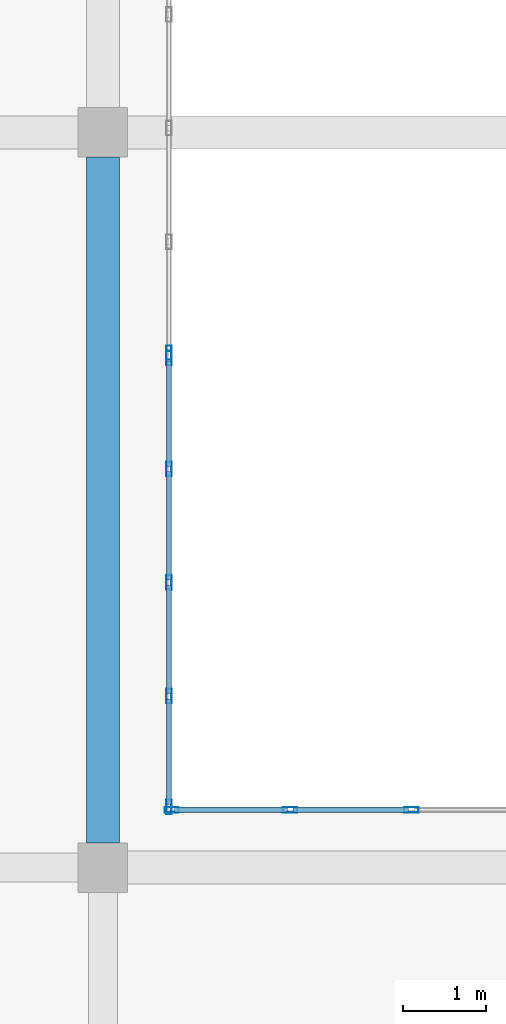
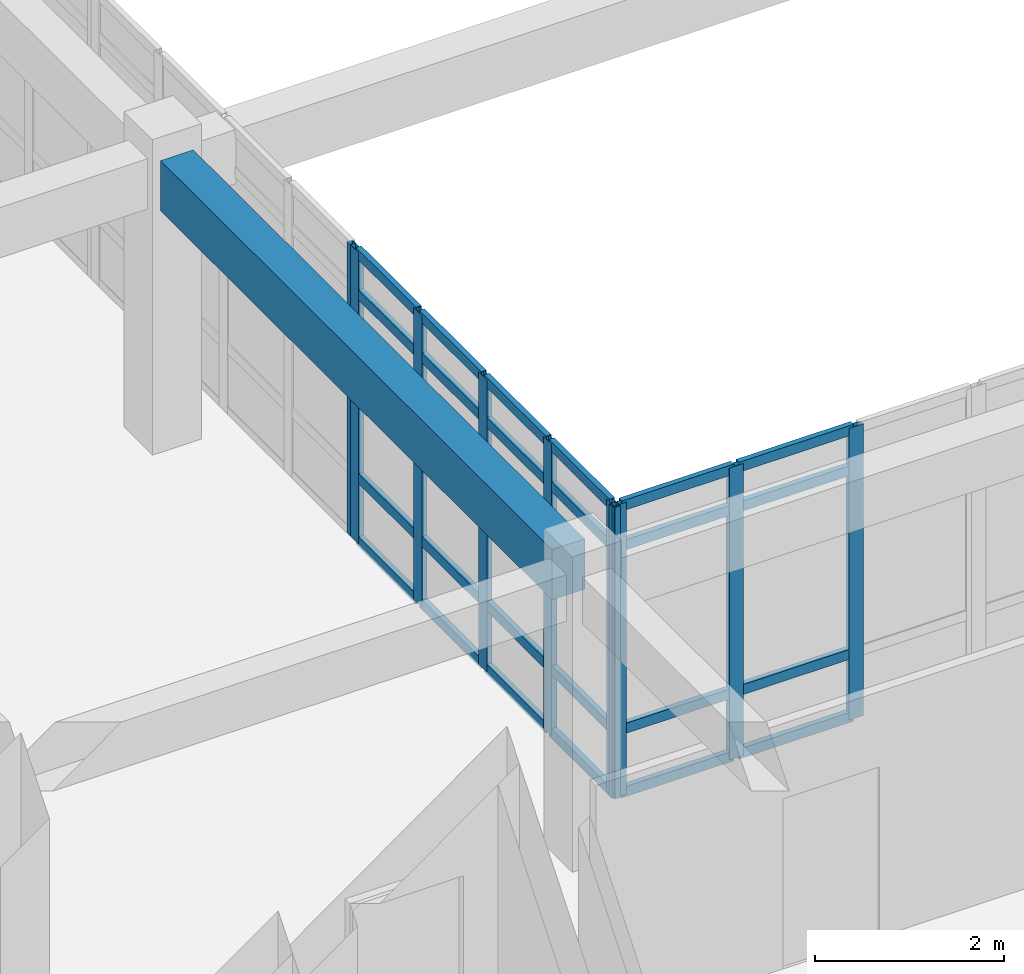
# One storey, part 45 of 91: 33 members, 1 beam, 3 elements without a shape of their own.
"""IFC4 building model written with IfcOpenShell, lengths in metres."""

from ifc_helpers import new_model, si_unit, direction, frame, origin, origin_2d, place, context, subcontext, project, spatial, rectangle, hollow_rectangle, extrude, material, layer, layer_set, material_profile, profile_set, type_object, element, aggregate, save


model = new_model("IFC4")

# Units and contexts
model_context = context("Model", 3, precision=1e-05, world=origin(), true_north=direction((0.0, 1.0)))
body_context = subcontext(model_context, "Body", "Model", "MODEL_VIEW")
ifc_project = project(units=[si_unit("LENGTHUNIT", "METRE"), si_unit("AREAUNIT", "SQUARE_METRE"), si_unit("VOLUMEUNIT", "CUBIC_METRE"), si_unit("PLANEANGLEUNIT", "RADIAN"), si_unit("MASSUNIT", "GRAM", prefix="KILO")], contexts=[model_context])

# Site, building, storey
site_placement = place(None, origin())
site = spatial("IfcSite", under=ifc_project, at=site_placement, CompositionType="ELEMENT")
building_placement = place(site_placement, origin())
building = spatial("IfcBuilding", under=site, at=building_placement, Name="Valcora Specialist Clinic", CompositionType="ELEMENT")
storey_placement = place(building_placement, frame((0.0, 0.0, 13.60009765625)))
storey = spatial("IfcBuildingStorey", under=building, at=storey_placement, Name="L03", CompositionType="ELEMENT", Elevation=13.60009765625)

# Beam
ifc_material_1 = material(Name="Concrete C40/50", Category="concrete")
ifc_material_profile_1 = material_profile(ifc_material_1, rectangle(XDim=0.39990234375, YDim=0.64990234375, at=origin_2d()), Name="RC-BM-400X650")
ifc_profile_set_1 = profile_set([ifc_material_profile_1], Name="Concrete C40/50")
beam_type = type_object("IfcBeamType", Name="TY-BM-RC400X650", PredefinedType="BEAM", material=ifc_profile_set_1)
beam_placement = place(storey_placement, frame((76.0, 81.60009765625, 3.449951171875), z_axis=(0.0, 1.0, 0.0), x_axis=(-1.0, 0.0, 0.0)))
element("IfcBeam", 1, at=beam_placement, inside=storey, type_object=beam_type, Name="Beam BM-L03-0811", PredefinedType="BEAM", context=body_context, shape_type="SweptSolid", body=[
    extrude(rectangle(XDim=0.39990234375, YDim=0.64990234375, at=origin_2d()), origin(), (0.0, 0.0, 1.0), 8.2998046875),
])

# Curtain wall, members
ifc_material_2 = material(Name="Anodized Bronze Aluminium 6063-T6", Category="aluminium")
ifc_layer = layer(ifc_material_2, 0.175048828125)
ifc_layer_set = layer_set([ifc_layer], Name="Anodized Bronze Aluminium 6063-T6")
curtain_wall_type = type_object("IfcCurtainWallType", Name="TY-CW-CRT15", PredefinedType="NOTDEFINED", material=ifc_layer_set)
curtain_wall_1_placement = place(storey_placement, origin())
curtain_wall_1 = element("IfcCurtainWall", 2, at=curtain_wall_1_placement, inside=storey, type_object=curtain_wall_type, Name="Curtain wall CW-L03-125", PredefinedType="NOTDEFINED")
ifc_material_profile_2 = material_profile(ifc_material_2, hollow_rectangle(XDim=0.06494140625, YDim=0.175048828125, WallThickness=0.00390625, at=origin_2d()), Name="AL-MUL-65X175")
ifc_profile_set_2 = profile_set([ifc_material_profile_2], Name="Anodized Bronze Aluminium 6063-T6")
member_type_1 = type_object("IfcMemberType", Name="TY-CWM-65X175", PredefinedType="MULLION", material=ifc_profile_set_2)
member_1_placement = place(storey_placement, frame((76.83251953125, 82.0, 0.0), z_axis=(0.0, 0.0, 1.0), x_axis=(0.0, 1.0, 0.0)))
member_1 = element("IfcMember", 3, at=member_1_placement, type_object=member_type_1, Name="CW-CRT-15 mullion 1", PredefinedType="MULLION", context=body_context, shape_type="SweptSolid", body=[
    extrude(hollow_rectangle(XDim=0.06494140625, YDim=0.175048828125, WallThickness=0.00390625, at=origin_2d()), origin(), (0.0, 0.0, 1.0), 3.77490234375),
])
member_2_placement = place(storey_placement, frame((78.2666015625, 82.0, 0.0), z_axis=(0.0, 0.0, 1.0), x_axis=(0.0, 1.0, 0.0)))
member_2 = element("IfcMember", 4, at=member_2_placement, type_object=member_type_1, Name="CW-CRT-15 mullion 2", PredefinedType="MULLION", context=body_context, shape_type="SweptSolid", body=[
    extrude(hollow_rectangle(XDim=0.06494140625, YDim=0.175048828125, WallThickness=0.00390625, at=origin_2d()), origin(), (0.0, 0.0, 1.0), 3.77490234375),
])
member_3_placement = place(storey_placement, frame((79.7333984375, 82.0, 0.0), z_axis=(0.0, 0.0, 1.0), x_axis=(0.0, 1.0, 0.0)))
member_3 = element("IfcMember", 5, at=member_3_placement, type_object=member_type_1, Name="CW-CRT-15 mullion 3", PredefinedType="MULLION", context=body_context, shape_type="SweptSolid", body=[
    extrude(hollow_rectangle(XDim=0.06494140625, YDim=0.175048828125, WallThickness=0.00390625, at=origin_2d()), origin(), (0.0, 0.0, 1.0), 3.77490234375),
])

# Curtain wall, member
curtain_wall_2_placement = place(storey_placement, origin())
curtain_wall_2 = element("IfcCurtainWall", 6, at=curtain_wall_2_placement, inside=storey, type_object=curtain_wall_type, Name="Curtain wall CW-L03-135", PredefinedType="NOTDEFINED")
member_4_placement = place(storey_placement, frame((76.800048828125, 87.532470703125, 0.0), z_axis=(0.0, 0.0, 1.0), x_axis=(1.0, 0.0, 0.0)))
member_4 = element("IfcMember", 7, at=member_4_placement, type_object=member_type_1, Name="CW-CRT-15 mullion 5", PredefinedType="MULLION", context=body_context, shape_type="SweptSolid", body=[
    extrude(hollow_rectangle(XDim=0.06494140625, YDim=0.175048828125, WallThickness=0.00390625, at=origin_2d()), origin(), (0.0, 0.0, 1.0), 3.77490234375),
])
aggregate(curtain_wall_2, [member_4])

# Curtain wall, members
curtain_wall_3_placement = place(storey_placement, origin())
curtain_wall_3 = element("IfcCurtainWall", 8, at=curtain_wall_3_placement, inside=storey, type_object=curtain_wall_type, Name="Curtain wall CW-L03-136", PredefinedType="NOTDEFINED")
member_5_placement = place(storey_placement, frame((76.800048828125, 87.467529296875, 0.0), z_axis=(0.0, 0.0, 1.0), x_axis=(1.0, 0.0, 0.0)))
member_5 = element("IfcMember", 9, at=member_5_placement, type_object=member_type_1, Name="CW-CRT-15 mullion 1", PredefinedType="MULLION", context=body_context, shape_type="SweptSolid", body=[
    extrude(hollow_rectangle(XDim=0.06494140625, YDim=0.175048828125, WallThickness=0.00390625, at=origin_2d()), origin(), (0.0, 0.0, 1.0), 3.77490234375),
])
member_6_placement = place(storey_placement, frame((76.800048828125, 86.125, 0.0), z_axis=(0.0, 0.0, 1.0), x_axis=(1.0, 0.0, 0.0)))
member_6 = element("IfcMember", 10, at=member_6_placement, type_object=member_type_1, Name="CW-CRT-15 mullion 2", PredefinedType="MULLION", context=body_context, shape_type="SweptSolid", body=[
    extrude(hollow_rectangle(XDim=0.06494140625, YDim=0.175048828125, WallThickness=0.00390625, at=origin_2d()), origin(), (0.0, 0.0, 1.0), 3.77490234375),
])
member_7_placement = place(storey_placement, frame((76.800048828125, 84.75, 0.0), z_axis=(0.0, 0.0, 1.0), x_axis=(1.0, 0.0, 0.0)))
member_7 = element("IfcMember", 11, at=member_7_placement, type_object=member_type_1, Name="CW-CRT-15 mullion 3", PredefinedType="MULLION", context=body_context, shape_type="SweptSolid", body=[
    extrude(hollow_rectangle(XDim=0.06494140625, YDim=0.175048828125, WallThickness=0.00390625, at=origin_2d()), origin(), (0.0, 0.0, 1.0), 3.77490234375),
])
member_8_placement = place(storey_placement, frame((76.800048828125, 83.375, 0.0), z_axis=(0.0, 0.0, 1.0), x_axis=(1.0, 0.0, 0.0)))
member_8 = element("IfcMember", 12, at=member_8_placement, type_object=member_type_1, Name="CW-CRT-15 mullion 4", PredefinedType="MULLION", context=body_context, shape_type="SweptSolid", body=[
    extrude(hollow_rectangle(XDim=0.06494140625, YDim=0.175048828125, WallThickness=0.00390625, at=origin_2d()), origin(), (0.0, 0.0, 1.0), 3.77490234375),
])
member_9_placement = place(storey_placement, frame((76.800048828125, 82.032470703125, 0.0), z_axis=(0.0, 0.0, 1.0), x_axis=(1.0, 0.0, 0.0)))
member_9 = element("IfcMember", 13, at=member_9_placement, type_object=member_type_1, Name="CW-CRT-15 mullion 5", PredefinedType="MULLION", context=body_context, shape_type="SweptSolid", body=[
    extrude(hollow_rectangle(XDim=0.06494140625, YDim=0.175048828125, WallThickness=0.00390625, at=origin_2d()), origin(), (0.0, 0.0, 1.0), 3.77490234375),
])

# Member
ifc_material_profile_3 = material_profile(ifc_material_2, hollow_rectangle(XDim=0.06494140625, YDim=0.1298828125, WallThickness=0.00390625, at=origin_2d()), Name="AL-TRN-65X130")
ifc_profile_set_3 = profile_set([ifc_material_profile_3], Name="Anodized Bronze Aluminium 6063-T6")
member_type_2 = type_object("IfcMemberType", Name="TY-CWT-65X130", PredefinedType="USERDEFINED", material=ifc_profile_set_3)
member_10_placement = place(storey_placement, frame((76.864990234375, 82.0, 0.032470703125), z_axis=(1.0, 0.0, 0.0), x_axis=(0.0, 1.0, 0.0)))
member_10 = element("IfcMember", 14, at=member_10_placement, type_object=member_type_2, Name="CW-CRT-15 transom 1.1", ObjectType="TRANSOM", PredefinedType="USERDEFINED", context=body_context, shape_type="SweptSolid", body=[
    extrude(hollow_rectangle(XDim=0.06494140625, YDim=0.1298828125, WallThickness=0.00390625, at=origin_2d()), origin(), (0.0, 0.0, 1.0), 1.369140625),
])

member_11_placement = place(storey_placement, frame((76.864990234375, 82.0, 0.849853515625), z_axis=(1.0, 0.0, 0.0), x_axis=(0.0, 1.0, 0.0)))
member_11 = element("IfcMember", 15, at=member_11_placement, type_object=member_type_2, Name="CW-CRT-15 transom 1.2", ObjectType="TRANSOM", PredefinedType="USERDEFINED", context=body_context, shape_type="SweptSolid", body=[
    extrude(hollow_rectangle(XDim=0.06494140625, YDim=0.1298828125, WallThickness=0.00390625, at=origin_2d()), origin(), (0.0, 0.0, 1.0), 1.369140625),
])

member_12_placement = place(storey_placement, frame((76.864990234375, 82.0, 3.224853515625), z_axis=(1.0, 0.0, 0.0), x_axis=(0.0, 1.0, 0.0)))
member_12 = element("IfcMember", 16, at=member_12_placement, type_object=member_type_2, Name="CW-CRT-15 transom 1.3", ObjectType="TRANSOM", PredefinedType="USERDEFINED", context=body_context, shape_type="SweptSolid", body=[
    extrude(hollow_rectangle(XDim=0.06494140625, YDim=0.1298828125, WallThickness=0.00390625, at=origin_2d()), origin(), (0.0, 0.0, 1.0), 1.369140625),
])

member_13_placement = place(storey_placement, frame((76.864990234375, 82.0, 3.742431640625), z_axis=(1.0, 0.0, 0.0), x_axis=(0.0, 1.0, 0.0)))
member_13 = element("IfcMember", 17, at=member_13_placement, type_object=member_type_2, Name="CW-CRT-15 transom 1.4", ObjectType="TRANSOM", PredefinedType="USERDEFINED", context=body_context, shape_type="SweptSolid", body=[
    extrude(hollow_rectangle(XDim=0.06494140625, YDim=0.1298828125, WallThickness=0.00390625, at=origin_2d()), origin(), (0.0, 0.0, 1.0), 1.369140625),
])

member_14_placement = place(storey_placement, frame((78.299072265625, 82.0, 0.032470703125), z_axis=(1.0, 0.0, 0.0), x_axis=(0.0, 1.0, 0.0)))
member_14 = element("IfcMember", 18, at=member_14_placement, type_object=member_type_2, Name="CW-CRT-15 transom 2.1", ObjectType="TRANSOM", PredefinedType="USERDEFINED", context=body_context, shape_type="SweptSolid", body=[
    extrude(hollow_rectangle(XDim=0.06494140625, YDim=0.1298828125, WallThickness=0.00390625, at=origin_2d()), origin(), (0.0, 0.0, 1.0), 1.40185546875),
])

member_15_placement = place(storey_placement, frame((78.299072265625, 82.0, 0.849853515625), z_axis=(1.0, 0.0, 0.0), x_axis=(0.0, 1.0, 0.0)))
member_15 = element("IfcMember", 19, at=member_15_placement, type_object=member_type_2, Name="CW-CRT-15 transom 2.2", ObjectType="TRANSOM", PredefinedType="USERDEFINED", context=body_context, shape_type="SweptSolid", body=[
    extrude(hollow_rectangle(XDim=0.06494140625, YDim=0.1298828125, WallThickness=0.00390625, at=origin_2d()), origin(), (0.0, 0.0, 1.0), 1.40185546875),
])

member_16_placement = place(storey_placement, frame((78.299072265625, 82.0, 3.224853515625), z_axis=(1.0, 0.0, 0.0), x_axis=(0.0, 1.0, 0.0)))
member_16 = element("IfcMember", 20, at=member_16_placement, type_object=member_type_2, Name="CW-CRT-15 transom 2.3", ObjectType="TRANSOM", PredefinedType="USERDEFINED", context=body_context, shape_type="SweptSolid", body=[
    extrude(hollow_rectangle(XDim=0.06494140625, YDim=0.1298828125, WallThickness=0.00390625, at=origin_2d()), origin(), (0.0, 0.0, 1.0), 1.40185546875),
])

member_17_placement = place(storey_placement, frame((78.299072265625, 82.0, 3.742431640625), z_axis=(1.0, 0.0, 0.0), x_axis=(0.0, 1.0, 0.0)))
member_17 = element("IfcMember", 21, at=member_17_placement, type_object=member_type_2, Name="CW-CRT-15 transom 2.4", ObjectType="TRANSOM", PredefinedType="USERDEFINED", context=body_context, shape_type="SweptSolid", body=[
    extrude(hollow_rectangle(XDim=0.06494140625, YDim=0.1298828125, WallThickness=0.00390625, at=origin_2d()), origin(), (0.0, 0.0, 1.0), 1.40185546875),
])

aggregate(curtain_wall_1, [member_1, member_2, member_3, member_10, member_11, member_12, member_13, member_14, member_15, member_16, member_17])

member_18_placement = place(storey_placement, frame((76.800048828125, 87.43505859375, 0.032470703125), z_axis=(0.0, -1.0, 0.0), x_axis=(1.0, 0.0, 0.0)))
member_18 = element("IfcMember", 22, at=member_18_placement, type_object=member_type_2, Name="CW-CRT-15 transom 1.1", ObjectType="TRANSOM", PredefinedType="USERDEFINED", context=body_context, shape_type="SweptSolid", body=[
    extrude(hollow_rectangle(XDim=0.06494140625, YDim=0.1298828125, WallThickness=0.00390625, at=origin_2d()), origin(), (0.0, 0.0, 1.0), 1.277587890625),
])

member_19_placement = place(storey_placement, frame((76.800048828125, 87.43505859375, 0.849853515625), z_axis=(0.0, -1.0, 0.0), x_axis=(1.0, 0.0, 0.0)))
member_19 = element("IfcMember", 23, at=member_19_placement, type_object=member_type_2, Name="CW-CRT-15 transom 1.2", ObjectType="TRANSOM", PredefinedType="USERDEFINED", context=body_context, shape_type="SweptSolid", body=[
    extrude(hollow_rectangle(XDim=0.06494140625, YDim=0.1298828125, WallThickness=0.00390625, at=origin_2d()), origin(), (0.0, 0.0, 1.0), 1.277587890625),
])

member_20_placement = place(storey_placement, frame((76.800048828125, 87.43505859375, 3.224853515625), z_axis=(0.0, -1.0, 0.0), x_axis=(1.0, 0.0, 0.0)))
member_20 = element("IfcMember", 24, at=member_20_placement, type_object=member_type_2, Name="CW-CRT-15 transom 1.3", ObjectType="TRANSOM", PredefinedType="USERDEFINED", context=body_context, shape_type="SweptSolid", body=[
    extrude(hollow_rectangle(XDim=0.06494140625, YDim=0.1298828125, WallThickness=0.00390625, at=origin_2d()), origin(), (0.0, 0.0, 1.0), 1.277587890625),
])

member_21_placement = place(storey_placement, frame((76.800048828125, 87.43505859375, 3.742431640625), z_axis=(0.0, -1.0, 0.0), x_axis=(1.0, 0.0, 0.0)))
member_21 = element("IfcMember", 25, at=member_21_placement, type_object=member_type_2, Name="CW-CRT-15 transom 1.4", ObjectType="TRANSOM", PredefinedType="USERDEFINED", context=body_context, shape_type="SweptSolid", body=[
    extrude(hollow_rectangle(XDim=0.06494140625, YDim=0.1298828125, WallThickness=0.00390625, at=origin_2d()), origin(), (0.0, 0.0, 1.0), 1.277587890625),
])

member_22_placement = place(storey_placement, frame((76.800048828125, 86.092529296875, 0.032470703125), z_axis=(0.0, -1.0, 0.0), x_axis=(1.0, 0.0, 0.0)))
member_22 = element("IfcMember", 26, at=member_22_placement, type_object=member_type_2, Name="CW-CRT-15 transom 2.1", ObjectType="TRANSOM", PredefinedType="USERDEFINED", context=body_context, shape_type="SweptSolid", body=[
    extrude(hollow_rectangle(XDim=0.06494140625, YDim=0.1298828125, WallThickness=0.00390625, at=origin_2d()), origin(), (0.0, 0.0, 1.0), 1.31005859375),
])

member_23_placement = place(storey_placement, frame((76.800048828125, 86.092529296875, 0.849853515625), z_axis=(0.0, -1.0, 0.0), x_axis=(1.0, 0.0, 0.0)))
member_23 = element("IfcMember", 27, at=member_23_placement, type_object=member_type_2, Name="CW-CRT-15 transom 2.2", ObjectType="TRANSOM", PredefinedType="USERDEFINED", context=body_context, shape_type="SweptSolid", body=[
    extrude(hollow_rectangle(XDim=0.06494140625, YDim=0.1298828125, WallThickness=0.00390625, at=origin_2d()), origin(), (0.0, 0.0, 1.0), 1.31005859375),
])

member_24_placement = place(storey_placement, frame((76.800048828125, 86.092529296875, 3.224853515625), z_axis=(0.0, -1.0, 0.0), x_axis=(1.0, 0.0, 0.0)))
member_24 = element("IfcMember", 28, at=member_24_placement, type_object=member_type_2, Name="CW-CRT-15 transom 2.3", ObjectType="TRANSOM", PredefinedType="USERDEFINED", context=body_context, shape_type="SweptSolid", body=[
    extrude(hollow_rectangle(XDim=0.06494140625, YDim=0.1298828125, WallThickness=0.00390625, at=origin_2d()), origin(), (0.0, 0.0, 1.0), 1.31005859375),
])

member_25_placement = place(storey_placement, frame((76.800048828125, 86.092529296875, 3.742431640625), z_axis=(0.0, -1.0, 0.0), x_axis=(1.0, 0.0, 0.0)))
member_25 = element("IfcMember", 29, at=member_25_placement, type_object=member_type_2, Name="CW-CRT-15 transom 2.4", ObjectType="TRANSOM", PredefinedType="USERDEFINED", context=body_context, shape_type="SweptSolid", body=[
    extrude(hollow_rectangle(XDim=0.06494140625, YDim=0.1298828125, WallThickness=0.00390625, at=origin_2d()), origin(), (0.0, 0.0, 1.0), 1.31005859375),
])

member_26_placement = place(storey_placement, frame((76.800048828125, 84.717529296875, 0.032470703125), z_axis=(0.0, -1.0, 0.0), x_axis=(1.0, 0.0, 0.0)))
member_26 = element("IfcMember", 30, at=member_26_placement, type_object=member_type_2, Name="CW-CRT-15 transom 3.1", ObjectType="TRANSOM", PredefinedType="USERDEFINED", context=body_context, shape_type="SweptSolid", body=[
    extrude(hollow_rectangle(XDim=0.06494140625, YDim=0.1298828125, WallThickness=0.00390625, at=origin_2d()), origin(), (0.0, 0.0, 1.0), 1.31005859375),
])

member_27_placement = place(storey_placement, frame((76.800048828125, 84.717529296875, 0.849853515625), z_axis=(0.0, -1.0, 0.0), x_axis=(1.0, 0.0, 0.0)))
member_27 = element("IfcMember", 31, at=member_27_placement, type_object=member_type_2, Name="CW-CRT-15 transom 3.2", ObjectType="TRANSOM", PredefinedType="USERDEFINED", context=body_context, shape_type="SweptSolid", body=[
    extrude(hollow_rectangle(XDim=0.06494140625, YDim=0.1298828125, WallThickness=0.00390625, at=origin_2d()), origin(), (0.0, 0.0, 1.0), 1.31005859375),
])

member_28_placement = place(storey_placement, frame((76.800048828125, 84.717529296875, 3.224853515625), z_axis=(0.0, -1.0, 0.0), x_axis=(1.0, 0.0, 0.0)))
member_28 = element("IfcMember", 32, at=member_28_placement, type_object=member_type_2, Name="CW-CRT-15 transom 3.3", ObjectType="TRANSOM", PredefinedType="USERDEFINED", context=body_context, shape_type="SweptSolid", body=[
    extrude(hollow_rectangle(XDim=0.06494140625, YDim=0.1298828125, WallThickness=0.00390625, at=origin_2d()), origin(), (0.0, 0.0, 1.0), 1.31005859375),
])

member_29_placement = place(storey_placement, frame((76.800048828125, 84.717529296875, 3.742431640625), z_axis=(0.0, -1.0, 0.0), x_axis=(1.0, 0.0, 0.0)))
member_29 = element("IfcMember", 33, at=member_29_placement, type_object=member_type_2, Name="CW-CRT-15 transom 3.4", ObjectType="TRANSOM", PredefinedType="USERDEFINED", context=body_context, shape_type="SweptSolid", body=[
    extrude(hollow_rectangle(XDim=0.06494140625, YDim=0.1298828125, WallThickness=0.00390625, at=origin_2d()), origin(), (0.0, 0.0, 1.0), 1.31005859375),
])

member_30_placement = place(storey_placement, frame((76.800048828125, 83.342529296875, 0.032470703125), z_axis=(0.0, -1.0, 0.0), x_axis=(1.0, 0.0, 0.0)))
member_30 = element("IfcMember", 34, at=member_30_placement, type_object=member_type_2, Name="CW-CRT-15 transom 4.1", ObjectType="TRANSOM", PredefinedType="USERDEFINED", context=body_context, shape_type="SweptSolid", body=[
    extrude(hollow_rectangle(XDim=0.06494140625, YDim=0.1298828125, WallThickness=0.00390625, at=origin_2d()), origin(), (0.0, 0.0, 1.0), 1.277587890625),
])

member_31_placement = place(storey_placement, frame((76.800048828125, 83.342529296875, 0.849853515625), z_axis=(0.0, -1.0, 0.0), x_axis=(1.0, 0.0, 0.0)))
member_31 = element("IfcMember", 35, at=member_31_placement, type_object=member_type_2, Name="CW-CRT-15 transom 4.2", ObjectType="TRANSOM", PredefinedType="USERDEFINED", context=body_context, shape_type="SweptSolid", body=[
    extrude(hollow_rectangle(XDim=0.06494140625, YDim=0.1298828125, WallThickness=0.00390625, at=origin_2d()), origin(), (0.0, 0.0, 1.0), 1.277587890625),
])

member_32_placement = place(storey_placement, frame((76.800048828125, 83.342529296875, 3.224853515625), z_axis=(0.0, -1.0, 0.0), x_axis=(1.0, 0.0, 0.0)))
member_32 = element("IfcMember", 36, at=member_32_placement, type_object=member_type_2, Name="CW-CRT-15 transom 4.3", ObjectType="TRANSOM", PredefinedType="USERDEFINED", context=body_context, shape_type="SweptSolid", body=[
    extrude(hollow_rectangle(XDim=0.06494140625, YDim=0.1298828125, WallThickness=0.00390625, at=origin_2d()), origin(), (0.0, 0.0, 1.0), 1.277587890625),
])

member_33_placement = place(storey_placement, frame((76.800048828125, 83.342529296875, 3.742431640625), z_axis=(0.0, -1.0, 0.0), x_axis=(1.0, 0.0, 0.0)))
member_33 = element("IfcMember", 37, at=member_33_placement, type_object=member_type_2, Name="CW-CRT-15 transom 4.4", ObjectType="TRANSOM", PredefinedType="USERDEFINED", context=body_context, shape_type="SweptSolid", body=[
    extrude(hollow_rectangle(XDim=0.06494140625, YDim=0.1298828125, WallThickness=0.00390625, at=origin_2d()), origin(), (0.0, 0.0, 1.0), 1.277587890625),
])

aggregate(curtain_wall_3, [member_5, member_6, member_7, member_8, member_9, member_18, member_19, member_20, member_21, member_22, member_23, member_24, member_25, member_26, member_27, member_28, member_29, member_30, member_31, member_32, member_33])

save(model, "model.ifc")
